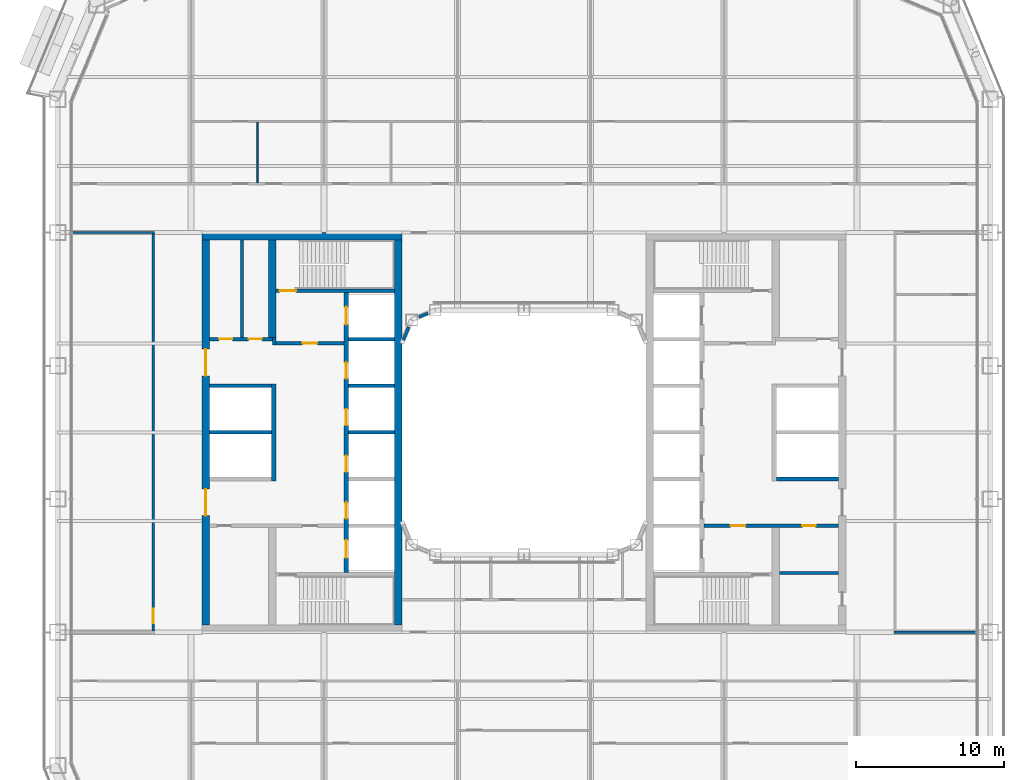
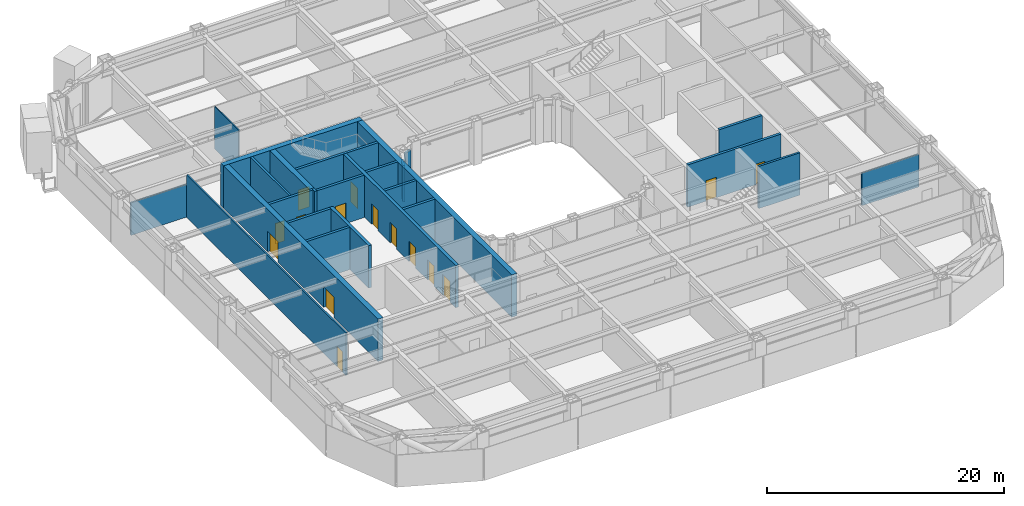
# One storey, part 14 of 29: 25 walls, 15 doors, 15 openings.
"""IFC4 building model written with IfcOpenShell, lengths in metres."""

import ifcopenshell
import ifcopenshell.guid

model = None  # the IFC model being written
_history = None  # IfcOwnerHistory: only IFC2X3 demands one
_inside = {}  # id of a spatial element -> (the spatial element, [elements in it])
_under = {}  # id of a project, library or spatial element -> (it, [spatial elements below it])
_declared = {}  # id of a project -> (the project, [libraries it declares])
_typed = {}  # id of a type object -> (the type object, [elements of that type])
_made_of = {}  # id of a material, layer set ... -> (it, [elements and type objects made of it])


def new_model(schema):
    """Start an empty IFC model of exactly this schema.

    Asked for "IFC4X3", IfcOpenShell would pick the latest addendum, in which some entities
    have other attributes; the version numbers below select the first issue.
    IFC2X3 requires an IfcOwnerHistory on every rooted entity: one is made here for all.
    """
    global model, _history
    if schema == "IFC4X3":
        model = ifcopenshell.file(schema_version=(4, 3, 0, 0))
    else:
        model = ifcopenshell.file(schema=schema)
    _inside.clear()
    _under.clear()
    _declared.clear()
    _typed.clear()
    _made_of.clear()
    _history = None
    if model.schema == "IFC2X3":
        org = make("IfcOrganization", Name="unknown")
        user = make(
            "IfcPersonAndOrganization",
            ThePerson=make("IfcPerson", FamilyName="unknown"),
            TheOrganization=org,
        )
        app = make(
            "IfcApplication",
            ApplicationDeveloper=org,
            Version="unknown",
            ApplicationFullName="unknown",
            ApplicationIdentifier="unknown",
        )
        _history = make(
            "IfcOwnerHistory",
            OwningUser=user,
            OwningApplication=app,
            ChangeAction="ADDED",
            CreationDate=0,
        )
    return model


def make(cls, **values):
    """One entity of the class cls with the attributes given. An attribute that is None is left unset."""
    return model.create_entity(
        cls, **{name: value for name, value in values.items() if value is not None}
    )


def rooted(cls, **values):
    """An entity with a GlobalId (a new one), such as an element, a storey or a relation."""
    return make(cls, GlobalId=ifcopenshell.guid.new(), OwnerHistory=_history, **values)


def si_unit(unit_type, name, prefix=None):
    """IfcSIUnit, for example si_unit("LENGTHUNIT", "METRE", prefix="MILLI")."""
    return make("IfcSIUnit", UnitType=unit_type, Prefix=prefix, Name=name)


def assignment(units):
    """IfcUnitAssignment: the units of a project."""
    return None if units is None else make("IfcUnitAssignment", Units=units)


def point(xyz):
    """IfcCartesianPoint."""
    return None if xyz is None else make("IfcCartesianPoint", Coordinates=xyz)


def direction(xyz):
    """IfcDirection."""
    return None if xyz is None else make("IfcDirection", DirectionRatios=xyz)


def frame(location, z_axis=None, x_axis=None):
    """IfcAxis2Placement3D, a coordinate frame: its origin and axes. An axis left out is left unset."""
    return make(
        "IfcAxis2Placement3D",
        Location=point(location),
        Axis=direction(z_axis),
        RefDirection=direction(x_axis),
    )


def frame_2d(location, x_axis=None):
    """IfcAxis2Placement2D, a coordinate frame in the plane: its origin and x axis."""
    return make(
        "IfcAxis2Placement2D", Location=point(location), RefDirection=direction(x_axis)
    )


def origin():
    """The frame at (0, 0, 0) with its axes left unset."""
    return frame((0.0, 0.0, 0.0))


def place(relative_to, where):
    """IfcLocalPlacement: puts the frame where relative to a parent placement (None: the world)."""
    return make(
        "IfcLocalPlacement", PlacementRelTo=relative_to, RelativePlacement=where
    )


def context(
    kind, dimensions, precision=None, world=None, true_north=None, identifier=None
):
    """IfcGeometricRepresentationContext, for example the 3D "Model" context."""
    return make(
        "IfcGeometricRepresentationContext",
        ContextIdentifier=identifier,
        ContextType=kind,
        CoordinateSpaceDimension=dimensions,
        Precision=precision,
        WorldCoordinateSystem=world,
        TrueNorth=true_north,
    )


def subcontext(parent, identifier, kind, view, scale=None):
    """IfcGeometricRepresentationSubContext, for example "Body" below "Model"."""
    return make(
        "IfcGeometricRepresentationSubContext",
        ContextIdentifier=identifier,
        ContextType=kind,
        ParentContext=parent,
        TargetScale=scale,
        TargetView=view,
    )


def project(units=None, contexts=None):
    """IfcProject with its units and contexts."""
    return rooted(
        "IfcProject",
        Name="project",
        RepresentationContexts=contexts,
        UnitsInContext=assignment(units),
    )


def spatial(cls, under=None, at=None, **own):
    """A site, building, storey or space (cls), placed at a placement, below another one or the project."""
    s = rooted(cls, ObjectPlacement=at, **own)
    if under is not None:
        _under.setdefault(under.id(), (under, []))[1].append(s)
    return s


def profile(cls, at=None, kind="AREA", **sizes):
    """A parametric profile (cls). Its sizes go by their IFC names, for example OverallWidth=200.0."""
    return make(cls, ProfileType=kind, Position=at, **sizes)


def rectangle(**sizes):
    """IfcRectangleProfileDef."""
    return profile("IfcRectangleProfileDef", **sizes)


def extrude(swept, where, along, depth):
    """IfcExtrudedAreaSolid: the profile swept, set in the frame where, extruded along a direction by depth."""
    return make(
        "IfcExtrudedAreaSolid",
        SweptArea=swept,
        Position=where,
        ExtrudedDirection=direction(along),
        Depth=depth,
    )


def shape(context_of_items, identifier, shape_type, items):
    """IfcShapeRepresentation: the items that make up one representation, for example the "Body"."""
    return make(
        "IfcShapeRepresentation",
        ContextOfItems=context_of_items,
        RepresentationIdentifier=identifier,
        RepresentationType=shape_type,
        Items=items,
    )


def material(Name=None, Category=None):
    """IfcMaterial."""
    return make("IfcMaterial", Name=Name, Category=Category)


def layer(
    of_material, thickness, ventilated=None, Name=None, Category=None, Priority=None
):
    """IfcMaterialLayer: one layer of a wall or slab, of a material (None: an air gap)."""
    return make(
        "IfcMaterialLayer",
        Material=of_material,
        LayerThickness=thickness,
        IsVentilated=ventilated,
        Name=Name,
        Category=Category,
        Priority=Priority,
    )


def layer_set(layers, Name=None):
    """IfcMaterialLayerSet."""
    return make("IfcMaterialLayerSet", MaterialLayers=layers, LayerSetName=Name)


def made_of(thing, what):
    """Note that an element or type object is made of a material, layer set ...; save() writes the relation."""
    if what is not None:
        _made_of.setdefault(what.id(), (what, []))[1].append(thing)
    return thing


def type_object(cls, material=None, **own):
    """A type object (cls), such as IfcWallType, which elements share."""
    return made_of(rooted(cls, **own), material)


def element(
    cls,
    number,
    at=None,
    inside=None,
    cuts=None,
    type_object=None,
    material=None,
    context=None,
    identifier="Body",
    shape_type=None,
    held_by="IfcProductDefinitionShape",
    body=None,
    shapes=None,
    **own,
):
    """One element of the class cls, such as IfcWall. Its Tag is "e" and its number.

    at: its placement. inside: the storey or other place that contains it. cuts: it is an
    opening in that element (IfcRelVoidsElement). A single representation is given by context,
    identifier, shape_type and body (its items); several are given by shapes. held_by: the class
    of the entity that holds the representations. save() writes the other relations.
    """
    e = rooted(cls, Tag="e%d" % number, ObjectPlacement=at, **own)
    if body is not None:
        shapes = [shape(context, identifier, shape_type, body)]
    if shapes is not None:
        e.Representation = make(held_by, Representations=shapes)
    if inside is not None:
        _inside.setdefault(inside.id(), (inside, []))[1].append(e)
    if cuts is not None:
        rooted(
            "IfcRelVoidsElement", RelatingBuildingElement=cuts, RelatedOpeningElement=e
        )
    if type_object is not None:
        _typed.setdefault(type_object.id(), (type_object, []))[1].append(e)
    return made_of(e, material)


def fill(opening, filler):
    """IfcRelFillsElement: the door or window that sits in an opening."""
    return rooted(
        "IfcRelFillsElement",
        RelatingOpeningElement=opening,
        RelatedBuildingElement=filler,
    )


def aggregate(whole, parts):
    """IfcRelAggregates: a whole, such as a stair, and the parts it consists of."""
    return rooted("IfcRelAggregates", RelatingObject=whole, RelatedObjects=parts)


def save(model, path):
    """Write the relations noted so far, then the file.

    IfcRelAggregates (storeys below a building ...), IfcRelContainedInSpatialStructure (elements
    in a storey), IfcRelDefinesByType, IfcRelAssociatesMaterial and IfcRelDeclares: one each for
    every whole, place, type object, material and project.
    """
    for whole, parts in _under.values():
        aggregate(whole, parts)
    for where, things in _inside.values():
        rooted(
            "IfcRelContainedInSpatialStructure",
            RelatedElements=things,
            RelatingStructure=where,
        )
    for kind, things in _typed.values():
        rooted("IfcRelDefinesByType", RelatedObjects=things, RelatingType=kind)
    for what, things in _made_of.values():
        rooted("IfcRelAssociatesMaterial", RelatedObjects=things, RelatingMaterial=what)
    for by, libraries in _declared.values():
        rooted("IfcRelDeclares", RelatingContext=by, RelatedDefinitions=libraries)
    model.write(path)


model = new_model("IFC4")

# Units and contexts
model_context = context("Model", 3, precision=1e-05, world=origin(), true_north=direction((0.0, 1.0)))
body_context = subcontext(model_context, "Body", "Model", "MODEL_VIEW")
ifc_project = project(units=[si_unit("LENGTHUNIT", "METRE"), si_unit("AREAUNIT", "SQUARE_METRE"), si_unit("VOLUMEUNIT", "CUBIC_METRE"), si_unit("PLANEANGLEUNIT", "RADIAN"), si_unit("MASSUNIT", "GRAM", prefix="KILO")], contexts=[model_context])

# Site, building, storey
site_placement = place(None, origin())
site = spatial("IfcSite", under=ifc_project, at=site_placement, CompositionType="ELEMENT")
building_placement = place(site_placement, origin())
building = spatial("IfcBuilding", under=site, at=building_placement, Name="Siwar Civic Tower", CompositionType="ELEMENT")
storey_placement = place(building_placement, frame((0.0, 0.0, 49.199951171875)))
storey = spatial("IfcBuildingStorey", under=building, at=storey_placement, Name="L10", CompositionType="ELEMENT", Elevation=49.199951171875)

# Walls
ifc_material_1 = material(Name="Gypsum board on steel studs", Category="steel")
ifc_layer_1 = layer(ifc_material_1, 0.199951171875)
ifc_layer_set_1 = layer_set([ifc_layer_1], Name="Gypsum board on steel studs")
wall_type_1 = type_object("IfcWallType", Name="CORE-PARTITION-200", PredefinedType="PARTITIONING", material=ifc_layer_set_1)
wall_1_placement = place(storey_placement, frame((-19.050048828125, 6.425048828125, 0.0), z_axis=(0.0, 0.0, 1.0), x_axis=(0.0, 1.0, 0.0)))
element("IfcWall", 1, at=wall_1_placement, inside=storey, type_object=wall_type_1, Name="Core partition W", PredefinedType="PARTITIONING", context=body_context, shape_type="SweptSolid", body=[
    extrude(rectangle(XDim=6.574951171875, YDim=0.199951171875, at=frame_2d((3.28759765625, 0.0))), origin(), (0.0, 0.0, 1.0), 4.35009765625),
])
wall_2_placement = place(storey_placement, frame((17.25, -9.5, 0.0), z_axis=(0.0, 0.0, 1.0), x_axis=(1.0, 0.0, 0.0)))
element("IfcWall", 2, at=wall_2_placement, inside=storey, type_object=wall_type_1, Name="Core partition E", PredefinedType="PARTITIONING", context=body_context, shape_type="SweptSolid", body=[
    extrude(rectangle(XDim=4.0, YDim=0.199951171875, at=frame_2d((2.0, 0.0))), origin(), (0.0, 0.0, 1.0), 4.35009765625),
])

# Wall, opening, door
ifc_material_2 = material(Name="Concrete C60/75", Category="concrete")
ifc_layer_2 = layer(ifc_material_2, 0.25)
ifc_layer_set_2 = layer_set([ifc_layer_2], Name="Concrete C60/75")
wall_type_2 = type_object("IfcWallType", Name="CORE-WALL-RC250", PredefinedType="SHEAR", material=ifc_layer_set_2)
wall_3_placement = place(storey_placement, frame((-12.14990234375, 6.02490234375, 0.0), z_axis=(0.0, 0.0, 1.0), x_axis=(-1.0, 0.0, 0.0)))
wall_3 = element("IfcWall", 3, at=wall_3_placement, inside=storey, type_object=wall_type_2, Name="Core wall W", PredefinedType="SHEAR", context=body_context, shape_type="SweptSolid", body=[
    extrude(rectangle(XDim=4.60009765625, YDim=0.25, at=frame_2d((2.300048828125, 0.0))), origin(), (0.0, 0.0, 1.0), 4.35009765625),
])
opening_1_placement = place(wall_3_placement, frame((1.800048828125, 0.0, 0.0)))
opening_1 = element("IfcOpeningElement", 4, at=opening_1_placement, cuts=wall_3, Name="Opening L10-CW01", PredefinedType="OPENING", context=body_context, shape_type="SweptSolid", body=[
    extrude(rectangle(XDim=1.0, YDim=2.10009765625, at=frame_2d((0.5, 1.050048828125))), frame((0.0, 0.135009765625, 0.0), z_axis=(0.0, -1.0, 0.0), x_axis=(1.0, 0.0, 0.0)), (0.0, 0.0, 1.0), 0.27001953125),
])
ifc_material_3 = material(Name="Steel door leaf", Category="steel")
door_type_1 = type_object("IfcDoorType", Name="CORE-DOOR-FD30S", OperationType="SINGLE_SWING_LEFT", PredefinedType="DOOR", material=ifc_material_3)
door_1_placement = place(opening_1_placement, origin())
door_1 = element("IfcDoor", 5, at=door_1_placement, inside=storey, type_object=door_type_1, Name="Firefighting lobby door L10-CW01", OperationType="SINGLE_SWING_LEFT", OverallHeight=2.10009765625, OverallWidth=1.0, PredefinedType="DOOR", context=body_context, shape_type="SweptSolid", body=[
    extrude(rectangle(XDim=1.0, YDim=2.10009765625, at=frame_2d((0.5, 1.050048828125))), frame((0.0, 0.02490234375, 0.0), z_axis=(0.0, -1.0, 0.0), x_axis=(1.0, 0.0, 0.0)), (0.0, 0.0, 1.0), 0.050048828125),
])
fill(opening_1, door_1)

# Wall
wall_4_placement = place(storey_placement, frame((-16.875, 5.89990234375, 0.0), z_axis=(0.0, 0.0, 1.0), x_axis=(0.0, 1.0, 0.0)))
element("IfcWall", 6, at=wall_4_placement, inside=storey, type_object=wall_type_2, Name="Core wall W", PredefinedType="SHEAR", context=body_context, shape_type="SweptSolid", body=[
    extrude(rectangle(XDim=0.525146484375, YDim=0.25, at=frame_2d((0.2626953125, 0.0))), origin(), (0.0, 0.0, 1.0), 4.35009765625),
])

# Wall, openings, doors
wall_5_placement = place(storey_placement, frame((-17.0, 6.300048828125, 0.0), z_axis=(0.0, 0.0, 1.0), x_axis=(-1.0, 0.0, 0.0)))
wall_5 = element("IfcWall", 7, at=wall_5_placement, inside=storey, type_object=wall_type_2, Name="Core wall W", PredefinedType="SHEAR", context=body_context, shape_type="SweptSolid", body=[
    extrude(rectangle(XDim=4.25, YDim=0.25, at=frame_2d((2.125, 0.0))), origin(), (0.0, 0.0, 1.0), 4.35009765625),
])
opening_2_placement = place(wall_5_placement, frame((0.699951171875, 0.0, 0.0)))
opening_2 = element("IfcOpeningElement", 8, at=opening_2_placement, cuts=wall_5, Name="Opening L10-CW13", PredefinedType="OPENING", context=body_context, shape_type="SweptSolid", body=[
    extrude(rectangle(XDim=0.89990234375, YDim=2.10009765625, at=frame_2d((0.449951171875, 1.050048828125))), frame((0.0, 0.135009765625, 0.0), z_axis=(0.0, -1.0, 0.0), x_axis=(1.0, 0.0, 0.0)), (0.0, 0.0, 1.0), 0.27001953125),
])
opening_3_placement = place(wall_5_placement, frame((2.699951171875, 0.0, 0.0)))
opening_3 = element("IfcOpeningElement", 9, at=opening_3_placement, cuts=wall_5, Name="Opening L10-CW14", PredefinedType="OPENING", context=body_context, shape_type="SweptSolid", body=[
    extrude(rectangle(XDim=0.89990234375, YDim=2.10009765625, at=frame_2d((0.449951171875, 1.050048828125))), frame((0.0, 0.135009765625, 0.0), z_axis=(0.0, -1.0, 0.0), x_axis=(1.0, 0.0, 0.0)), (0.0, 0.0, 1.0), 0.27001953125),
])
ifc_material_4 = material(Name="Steel door leaf", Category="steel")
door_type_2 = type_object("IfcDoorType", Name="CORE-DOOR-ROOM", OperationType="SINGLE_SWING_LEFT", PredefinedType="DOOR", material=ifc_material_4)
door_2_placement = place(opening_2_placement, origin())
door_2 = element("IfcDoor", 10, at=door_2_placement, inside=storey, type_object=door_type_2, Name="Core room door L10-CW13", OperationType="SINGLE_SWING_RIGHT", OverallHeight=2.10009765625, OverallWidth=0.89990234375, PredefinedType="DOOR", context=body_context, shape_type="SweptSolid", body=[
    extrude(rectangle(XDim=0.89990234375, YDim=2.10009765625, at=frame_2d((0.449951171875, 1.050048828125))), frame((0.0, 0.02490234375, 0.0), z_axis=(0.0, -1.0, 0.0), x_axis=(1.0, 0.0, 0.0)), (0.0, 0.0, 1.0), 0.050048828125),
])
fill(opening_2, door_2)
door_3_placement = place(opening_3_placement, origin())
door_3 = element("IfcDoor", 11, at=door_3_placement, inside=storey, type_object=door_type_2, Name="Core room door L10-CW14", OperationType="SINGLE_SWING_LEFT", OverallHeight=2.10009765625, OverallWidth=0.89990234375, PredefinedType="DOOR", context=body_context, shape_type="SweptSolid", body=[
    extrude(rectangle(XDim=0.89990234375, YDim=2.10009765625, at=frame_2d((0.449951171875, 1.050048828125))), frame((0.0, 0.02490234375, 0.0), z_axis=(0.0, -1.0, 0.0), x_axis=(1.0, 0.0, 0.0)), (0.0, 0.0, 1.0), 0.050048828125),
])
fill(opening_3, door_3)

# Walls
for number, where, z_axis, x_axis, name in (
    (12, (-17.050048828125, 0.0, 0.0), (0.0, 0.0, 1.0), (-1.0, 0.0, 0.0), "Core wall W"),
    (13, (-17.050048828125, 3.14990234375, 0.0), (0.0, 0.0, 1.0), (-1.0, 0.0, 0.0), "Core wall W"),
):
    element("IfcWall", number, at=place(storey_placement, frame(where, z_axis=z_axis, x_axis=x_axis)), inside=storey, type_object=wall_type_2, Name=name, PredefinedType="SHEAR", context=body_context, shape_type="SweptSolid", body=[
        extrude(rectangle(XDim=4.199951171875, YDim=0.25, at=frame_2d((2.10009765625, 0.0))), origin(), (0.0, 0.0, 1.0), 4.35009765625),
    ])
for number, where, z_axis, x_axis, name in (
    (14, (-8.75, 0.0, 0.0), (0.0, 0.0, 1.0), (-1.0, 0.0, 0.0), "Core wall W"),
    (15, (-8.75, 3.14990234375, 0.0), (0.0, 0.0, 1.0), (-1.0, 0.0, 0.0), "Core wall W"),
    (16, (-8.75, 6.300048828125, 0.0), (0.0, 0.0, 1.0), (-1.0, 0.0, 0.0), "Core wall W"),
):
    element("IfcWall", number, at=place(storey_placement, frame(where, z_axis=z_axis, x_axis=x_axis)), inside=storey, type_object=wall_type_2, Name=name, PredefinedType="SHEAR", context=body_context, shape_type="SweptSolid", body=[
        extrude(rectangle(XDim=3.10009765625, YDim=0.25, at=frame_2d((1.550048828125, 0.0))), origin(), (0.0, 0.0, 1.0), 4.35009765625),
    ])

# Wall, opening, door
wall_6_placement = place(storey_placement, frame((-8.75, 9.574951171875, 0.0), z_axis=(0.0, 0.0, 1.0), x_axis=(-1.0, 0.0, 0.0)))
wall_6 = element("IfcWall", 17, at=wall_6_placement, inside=storey, type_object=wall_type_2, Name="Core wall W", PredefinedType="SHEAR", context=body_context, shape_type="SweptSolid", body=[
    extrude(rectangle(XDim=8.0, YDim=0.25, at=frame_2d((4.0, 0.0))), origin(), (0.0, 0.0, 1.0), 4.35009765625),
])
opening_4_placement = place(wall_6_placement, frame((6.64990234375, 0.0, 0.0)))
opening_4 = element("IfcOpeningElement", 18, at=opening_4_placement, cuts=wall_6, Name="Opening L10-CW03", PredefinedType="OPENING", context=body_context, shape_type="SweptSolid", body=[
    extrude(rectangle(XDim=1.10009765625, YDim=2.10009765625, at=frame_2d((0.550048828125, 1.050048828125))), frame((0.0, 0.135009765625, 0.0), z_axis=(0.0, -1.0, 0.0), x_axis=(1.0, 0.0, 0.0)), (0.0, 0.0, 1.0), 0.27001953125),
])
ifc_material_5 = material(Name="Steel door leaf", Category="steel")
door_type_3 = type_object("IfcDoorType", Name="CORE-DOOR-FD60S", OperationType="SINGLE_SWING_LEFT", PredefinedType="DOOR", material=ifc_material_5)
door_4_placement = place(opening_4_placement, origin())
door_4 = element("IfcDoor", 19, at=door_4_placement, inside=storey, type_object=door_type_3, Name="Stair door L10-CW03", OperationType="SINGLE_SWING_RIGHT", OverallHeight=2.10009765625, OverallWidth=1.10009765625, PredefinedType="DOOR", context=body_context, shape_type="SweptSolid", body=[
    extrude(rectangle(XDim=1.10009765625, YDim=2.10009765625, at=frame_2d((0.550048828125, 1.050048828125))), frame((0.0, 0.02490234375, 0.0), z_axis=(0.0, -1.0, 0.0), x_axis=(1.0, 0.0, 0.0)), (0.0, 0.0, 1.0), 0.050048828125),
])
fill(opening_4, door_4)

# Wall, openings, doors
wall_7_placement = place(storey_placement, frame((12.14990234375, -6.300048828125, 0.0), z_axis=(0.0, 0.0, 1.0), x_axis=(1.0, 0.0, 0.0)))
wall_7 = element("IfcWall", 20, at=wall_7_placement, inside=storey, type_object=wall_type_2, Name="Core wall E", PredefinedType="SHEAR", context=body_context, shape_type="SweptSolid", body=[
    extrude(rectangle(XDim=9.10009765625, YDim=0.25, at=frame_2d((4.550048828125, 0.0))), origin(), (0.0, 0.0, 1.0), 4.35009765625),
])
opening_5_placement = place(wall_7_placement, frame((1.800048828125, 0.0, 0.0)))
opening_5 = element("IfcOpeningElement", 21, at=opening_5_placement, cuts=wall_7, Name="Opening L10-CE02", PredefinedType="OPENING", context=body_context, shape_type="SweptSolid", body=[
    extrude(rectangle(XDim=1.0, YDim=2.10009765625, at=frame_2d((0.5, 1.050048828125))), frame((0.0, 0.135009765625, 0.0), z_axis=(0.0, -1.0, 0.0), x_axis=(1.0, 0.0, 0.0)), (0.0, 0.0, 1.0), 0.27001953125),
])
opening_6_placement = place(wall_7_placement, frame((6.64990234375, 0.0, 0.0)))
opening_6 = element("IfcOpeningElement", 22, at=opening_6_placement, cuts=wall_7, Name="Opening L10-CE14", PredefinedType="OPENING", context=body_context, shape_type="SweptSolid", body=[
    extrude(rectangle(XDim=0.89990234375, YDim=2.10009765625, at=frame_2d((0.449951171875, 1.050048828125))), frame((0.0, 0.135009765625, 0.0), z_axis=(0.0, -1.0, 0.0), x_axis=(1.0, 0.0, 0.0)), (0.0, 0.0, 1.0), 0.27001953125),
])
door_5_placement = place(opening_5_placement, origin())
door_5 = element("IfcDoor", 23, at=door_5_placement, inside=storey, type_object=door_type_1, Name="Service lobby door L10-CE02", OperationType="SINGLE_SWING_LEFT", OverallHeight=2.10009765625, OverallWidth=1.0, PredefinedType="DOOR", context=body_context, shape_type="SweptSolid", body=[
    extrude(rectangle(XDim=1.0, YDim=2.10009765625, at=frame_2d((0.5, 1.050048828125))), frame((0.0, 0.02490234375, 0.0), z_axis=(0.0, -1.0, 0.0), x_axis=(1.0, 0.0, 0.0)), (0.0, 0.0, 1.0), 0.050048828125),
])
fill(opening_5, door_5)
door_6_placement = place(opening_6_placement, origin())
door_6 = element("IfcDoor", 24, at=door_6_placement, inside=storey, type_object=door_type_2, Name="Core room door L10-CE14", OperationType="SINGLE_SWING_LEFT", OverallHeight=2.10009765625, OverallWidth=0.89990234375, PredefinedType="DOOR", context=body_context, shape_type="SweptSolid", body=[
    extrude(rectangle(XDim=0.89990234375, YDim=2.10009765625, at=frame_2d((0.449951171875, 1.050048828125))), frame((0.0, 0.02490234375, 0.0), z_axis=(0.0, -1.0, 0.0), x_axis=(1.0, 0.0, 0.0)), (0.0, 0.0, 1.0), 0.050048828125),
])
fill(opening_6, door_6)

# Wall
wall_8_placement = place(storey_placement, frame((17.050048828125, -3.14990234375, 0.0), z_axis=(0.0, 0.0, 1.0), x_axis=(1.0, 0.0, 0.0)))
element("IfcWall", 25, at=wall_8_placement, inside=storey, type_object=wall_type_2, Name="Core wall E", PredefinedType="SHEAR", context=body_context, shape_type="SweptSolid", body=[
    extrude(rectangle(XDim=4.199951171875, YDim=0.25, at=frame_2d((2.10009765625, 0.0))), origin(), (0.0, 0.0, 1.0), 4.35009765625),
])

# Wall, openings, doors
ifc_material_6 = material(Name="Concrete C60/75", Category="concrete")
ifc_layer_3 = layer(ifc_material_6, 0.300048828125)
ifc_layer_set_3 = layer_set([ifc_layer_3], Name="Concrete C60/75")
wall_type_3 = type_object("IfcWallType", Name="CORE-WALL-RC300", PredefinedType="SHEAR", material=ifc_layer_set_3)
wall_9_placement = place(storey_placement, frame((-12.0, -9.449951171875, 0.0), z_axis=(0.0, 0.0, 1.0), x_axis=(0.0, 1.0, 0.0)))
wall_9 = element("IfcWall", 26, at=wall_9_placement, inside=storey, type_object=wall_type_3, Name="Core wall W", PredefinedType="SHEAR", context=body_context, shape_type="SweptSolid", body=[
    extrude(rectangle(XDim=18.89990234375, YDim=0.300048828125, at=frame_2d((9.449951171875, 0.0))), origin(), (0.0, 0.0, 1.0), 4.35009765625),
])
opening_7_placement = place(wall_9_placement, frame((3.625, 0.0, 0.0)))
opening_7 = element("IfcOpeningElement", 27, at=opening_7_placement, cuts=wall_9, Name="Opening L10-CW07", PredefinedType="OPENING", context=body_context, shape_type="SweptSolid", body=[
    extrude(rectangle(XDim=1.10009765625, YDim=2.10009765625, at=frame_2d((0.550048828125, 1.050048828125))), frame((0.0, 0.16015625, 0.0), z_axis=(0.0, -1.0, 0.0), x_axis=(1.0, 0.0, 0.0)), (0.0, 0.0, 1.0), 0.320068359375),
])
opening_8_placement = place(wall_9_placement, frame((6.77490234375, 0.0, 0.0)))
opening_8 = element("IfcOpeningElement", 28, at=opening_8_placement, cuts=wall_9, Name="Opening L10-CW08", PredefinedType="OPENING", context=body_context, shape_type="SweptSolid", body=[
    extrude(rectangle(XDim=1.10009765625, YDim=2.10009765625, at=frame_2d((0.550048828125, 1.050048828125))), frame((0.0, 0.16015625, 0.0), z_axis=(0.0, -1.0, 0.0), x_axis=(1.0, 0.0, 0.0)), (0.0, 0.0, 1.0), 0.320068359375),
])
opening_9_placement = place(wall_9_placement, frame((9.925048828125, 0.0, 0.0)))
opening_9 = element("IfcOpeningElement", 29, at=opening_9_placement, cuts=wall_9, Name="Opening L10-CW09", PredefinedType="OPENING", context=body_context, shape_type="SweptSolid", body=[
    extrude(rectangle(XDim=1.10009765625, YDim=2.10009765625, at=frame_2d((0.550048828125, 1.050048828125))), frame((0.0, 0.16015625, 0.0), z_axis=(0.0, -1.0, 0.0), x_axis=(1.0, 0.0, 0.0)), (0.0, 0.0, 1.0), 0.320068359375),
])
opening_10_placement = place(wall_9_placement, frame((13.074951171875, 0.0, 0.0)))
opening_10 = element("IfcOpeningElement", 30, at=opening_10_placement, cuts=wall_9, Name="Opening L10-CW10", PredefinedType="OPENING", context=body_context, shape_type="SweptSolid", body=[
    extrude(rectangle(XDim=1.10009765625, YDim=2.10009765625, at=frame_2d((0.550048828125, 1.050048828125))), frame((0.0, 0.16015625, 0.0), z_axis=(0.0, -1.0, 0.0), x_axis=(1.0, 0.0, 0.0)), (0.0, 0.0, 1.0), 0.320068359375),
])
opening_11_placement = place(wall_9_placement, frame((16.72509765625, 0.0, 0.0)))
opening_11 = element("IfcOpeningElement", 31, at=opening_11_placement, cuts=wall_9, Name="Opening L10-CW11", PredefinedType="OPENING", context=body_context, shape_type="SweptSolid", body=[
    extrude(rectangle(XDim=1.199951171875, YDim=2.10009765625, at=frame_2d((0.60009765625, 1.050048828125))), frame((0.0, 0.16015625, 0.0), z_axis=(0.0, -1.0, 0.0), x_axis=(1.0, 0.0, 0.0)), (0.0, 0.0, 1.0), 0.320068359375),
])
opening_12_placement = place(wall_9_placement, frame((0.97509765625, 0.0, 0.0)))
opening_12 = element("IfcOpeningElement", 32, at=opening_12_placement, cuts=wall_9, Name="Opening L10-CW12", PredefinedType="OPENING", context=body_context, shape_type="SweptSolid", body=[
    extrude(rectangle(XDim=1.199951171875, YDim=2.10009765625, at=frame_2d((0.60009765625, 1.050048828125))), frame((0.0, 0.16015625, 0.0), z_axis=(0.0, -1.0, 0.0), x_axis=(1.0, 0.0, 0.0)), (0.0, 0.0, 1.0), 0.320068359375),
])
ifc_material_7 = material(Name="Steel door leaf", Category="steel")
door_type_4 = type_object("IfcDoorType", Name="CORE-DOOR-LD", OperationType="DOUBLE_DOOR_SLIDING", PredefinedType="DOOR", material=ifc_material_7)
door_7_placement = place(opening_7_placement, origin())
door_7 = element("IfcDoor", 33, at=door_7_placement, inside=storey, type_object=door_type_4, Name="Landing door LR1 L10-CW07", OperationType="DOUBLE_DOOR_SLIDING", OverallHeight=2.10009765625, OverallWidth=1.10009765625, PredefinedType="DOOR", context=body_context, shape_type="SweptSolid", body=[
    extrude(rectangle(XDim=1.10009765625, YDim=2.10009765625, at=frame_2d((0.550048828125, 1.050048828125))), frame((0.0, 0.02490234375, 0.0), z_axis=(0.0, -1.0, 0.0), x_axis=(1.0, 0.0, 0.0)), (0.0, 0.0, 1.0), 0.050048828125),
])
fill(opening_7, door_7)
door_8_placement = place(opening_8_placement, origin())
door_8 = element("IfcDoor", 34, at=door_8_placement, inside=storey, type_object=door_type_4, Name="Landing door LR2 L10-CW08", OperationType="DOUBLE_DOOR_SLIDING", OverallHeight=2.10009765625, OverallWidth=1.10009765625, PredefinedType="DOOR", context=body_context, shape_type="SweptSolid", body=[
    extrude(rectangle(XDim=1.10009765625, YDim=2.10009765625, at=frame_2d((0.550048828125, 1.050048828125))), frame((0.0, 0.02490234375, 0.0), z_axis=(0.0, -1.0, 0.0), x_axis=(1.0, 0.0, 0.0)), (0.0, 0.0, 1.0), 0.050048828125),
])
fill(opening_8, door_8)
door_9_placement = place(opening_9_placement, origin())
door_9 = element("IfcDoor", 35, at=door_9_placement, inside=storey, type_object=door_type_4, Name="Landing door LR3 L10-CW09", OperationType="DOUBLE_DOOR_SLIDING", OverallHeight=2.10009765625, OverallWidth=1.10009765625, PredefinedType="DOOR", context=body_context, shape_type="SweptSolid", body=[
    extrude(rectangle(XDim=1.10009765625, YDim=2.10009765625, at=frame_2d((0.550048828125, 1.050048828125))), frame((0.0, 0.02490234375, 0.0), z_axis=(0.0, -1.0, 0.0), x_axis=(1.0, 0.0, 0.0)), (0.0, 0.0, 1.0), 0.050048828125),
])
fill(opening_9, door_9)
door_10_placement = place(opening_10_placement, origin())
door_10 = element("IfcDoor", 36, at=door_10_placement, inside=storey, type_object=door_type_4, Name="Landing door LR4 L10-CW10", OperationType="DOUBLE_DOOR_SLIDING", OverallHeight=2.10009765625, OverallWidth=1.10009765625, PredefinedType="DOOR", context=body_context, shape_type="SweptSolid", body=[
    extrude(rectangle(XDim=1.10009765625, YDim=2.10009765625, at=frame_2d((0.550048828125, 1.050048828125))), frame((0.0, 0.02490234375, 0.0), z_axis=(0.0, -1.0, 0.0), x_axis=(1.0, 0.0, 0.0)), (0.0, 0.0, 1.0), 0.050048828125),
])
fill(opening_10, door_10)
ifc_material_8 = material(Name="Steel door leaf", Category="steel")
door_type_5 = type_object("IfcDoorType", Name="CORE-DOOR-LDW", OperationType="DOUBLE_DOOR_SLIDING", PredefinedType="DOOR", material=ifc_material_8)
door_11_placement = place(opening_11_placement, origin())
door_11 = element("IfcDoor", 37, at=door_11_placement, inside=storey, type_object=door_type_5, Name="Landing door FF1 L10-CW11", OperationType="DOUBLE_DOOR_SLIDING", OverallHeight=2.10009765625, OverallWidth=1.199951171875, PredefinedType="DOOR", context=body_context, shape_type="SweptSolid", body=[
    extrude(rectangle(XDim=1.199951171875, YDim=2.10009765625, at=frame_2d((0.60009765625, 1.050048828125))), frame((0.0, 0.02490234375, 0.0), z_axis=(0.0, -1.0, 0.0), x_axis=(1.0, 0.0, 0.0)), (0.0, 0.0, 1.0), 0.050048828125),
])
fill(opening_11, door_11)
door_12_placement = place(opening_12_placement, origin())
door_12 = element("IfcDoor", 38, at=door_12_placement, inside=storey, type_object=door_type_5, Name="Landing door SV1 L10-CW12", OperationType="DOUBLE_DOOR_SLIDING", OverallHeight=2.10009765625, OverallWidth=1.199951171875, PredefinedType="DOOR", context=body_context, shape_type="SweptSolid", body=[
    extrude(rectangle(XDim=1.199951171875, YDim=2.10009765625, at=frame_2d((0.60009765625, 1.050048828125))), frame((0.0, 0.02490234375, 0.0), z_axis=(0.0, -1.0, 0.0), x_axis=(1.0, 0.0, 0.0)), (0.0, 0.0, 1.0), 0.050048828125),
])
fill(opening_12, door_12)

# Wall
wall_10_placement = place(storey_placement, frame((-16.89990234375, -3.27490234375, 0.0), z_axis=(0.0, 0.0, 1.0), x_axis=(0.0, 1.0, 0.0)))
element("IfcWall", 39, at=wall_10_placement, inside=storey, type_object=wall_type_3, Name="Core wall W", PredefinedType="SHEAR", context=body_context, shape_type="SweptSolid", body=[
    extrude(rectangle(XDim=6.5498046875, YDim=0.300048828125, at=frame_2d((3.27490234375, 0.0))), origin(), (0.0, 0.0, 1.0), 4.35009765625),
])

# Wall, openings, doors
ifc_material_9 = material(Name="Concrete C60/75", Category="concrete")
ifc_layer_4 = layer(ifc_material_9, 0.5)
ifc_layer_set_4 = layer_set([ifc_layer_4], Name="Concrete C60/75")
wall_type_4 = type_object("IfcWallType", Name="CORE-WALL-RC500", PredefinedType="SHEAR", material=ifc_layer_set_4)
wall_11_placement = place(storey_placement, frame((-21.5, -13.0, 0.0), z_axis=(0.0, 0.0, 1.0), x_axis=(0.0, 1.0, 0.0)))
wall_11 = element("IfcWall", 40, at=wall_11_placement, inside=storey, type_object=wall_type_4, Name="Core wall W", PredefinedType="SHEAR", context=body_context, shape_type="SweptSolid", body=[
    extrude(rectangle(XDim=26.0, YDim=0.5, at=frame_2d((13.0, 0.0))), origin(), (0.0, 0.0, 1.0), 4.35009765625),
])
opening_13_placement = place(wall_11_placement, frame((16.824951171875, 0.0, 0.0)))
opening_13 = element("IfcOpeningElement", 41, at=opening_13_placement, cuts=wall_11, Name="Opening L10-CW05", PredefinedType="OPENING", context=body_context, shape_type="SweptSolid", body=[
    extrude(rectangle(XDim=1.800048828125, YDim=2.10009765625, at=frame_2d((0.89990234375, 1.050048828125))), frame((0.0, 0.260009765625, 0.0), z_axis=(0.0, -1.0, 0.0), x_axis=(1.0, 0.0, 0.0)), (0.0, 0.0, 1.0), 0.52001953125),
])
opening_14_placement = place(wall_11_placement, frame((7.375, 0.0, 0.0)))
opening_14 = element("IfcOpeningElement", 42, at=opening_14_placement, cuts=wall_11, Name="Opening L10-CW06", PredefinedType="OPENING", context=body_context, shape_type="SweptSolid", body=[
    extrude(rectangle(XDim=1.800048828125, YDim=2.10009765625, at=frame_2d((0.89990234375, 1.050048828125))), frame((0.0, 0.260009765625, 0.0), z_axis=(0.0, -1.0, 0.0), x_axis=(1.0, 0.0, 0.0)), (0.0, 0.0, 1.0), 0.52001953125),
])
ifc_material_10 = material(Name="Steel door leaf", Category="steel")
door_type_6 = type_object("IfcDoorType", Name="CORE-DOOR-PORT", OperationType="DOUBLE_DOOR_DOUBLE_SWING", PredefinedType="DOOR", material=ifc_material_10)
door_13_placement = place(opening_13_placement, origin())
door_13 = element("IfcDoor", 43, at=door_13_placement, inside=storey, type_object=door_type_6, Name="Core entrance door L10-CW05", OperationType="DOUBLE_DOOR_DOUBLE_SWING", OverallHeight=2.10009765625, OverallWidth=1.800048828125, PredefinedType="DOOR", context=body_context, shape_type="SweptSolid", body=[
    extrude(rectangle(XDim=1.800048828125, YDim=2.10009765625, at=frame_2d((0.89990234375, 1.050048828125))), frame((0.0, 0.02490234375, 0.0), z_axis=(0.0, -1.0, 0.0), x_axis=(1.0, 0.0, 0.0)), (0.0, 0.0, 1.0), 0.050048828125),
])
fill(opening_13, door_13)
door_14_placement = place(opening_14_placement, origin())
door_14 = element("IfcDoor", 44, at=door_14_placement, inside=storey, type_object=door_type_6, Name="Core entrance door L10-CW06", OperationType="DOUBLE_DOOR_DOUBLE_SWING", OverallHeight=2.10009765625, OverallWidth=1.800048828125, PredefinedType="DOOR", context=body_context, shape_type="SweptSolid", body=[
    extrude(rectangle(XDim=1.800048828125, YDim=2.10009765625, at=frame_2d((0.89990234375, 1.050048828125))), frame((0.0, 0.02490234375, 0.0), z_axis=(0.0, -1.0, 0.0), x_axis=(1.0, 0.0, 0.0)), (0.0, 0.0, 1.0), 0.050048828125),
])
fill(opening_14, door_14)

# Walls
wall_12_placement = place(storey_placement, frame((-17.0, 6.425048828125, 0.0), z_axis=(0.0, 0.0, 1.0), x_axis=(0.0, 1.0, 0.0)))
element("IfcWall", 45, at=wall_12_placement, inside=storey, type_object=wall_type_4, Name="Core wall W", PredefinedType="SHEAR", context=body_context, shape_type="SweptSolid", body=[
    extrude(rectangle(XDim=6.574951171875, YDim=0.5, at=frame_2d((3.28759765625, 0.0))), origin(), (0.0, 0.0, 1.0), 4.35009765625),
])
wall_13_placement = place(storey_placement, frame((-8.25, 13.25, 0.0), z_axis=(0.0, 0.0, 1.0), x_axis=(-1.0, 0.0, 0.0)))
element("IfcWall", 46, at=wall_13_placement, inside=storey, type_object=wall_type_4, Name="Core wall W", PredefinedType="SHEAR", context=body_context, shape_type="SweptSolid", body=[
    extrude(rectangle(XDim=13.5, YDim=0.5, at=frame_2d((6.75, 0.0))), origin(), (0.0, 0.0, 1.0), 4.35009765625),
])
ifc_material_11 = material(Name="Concrete C60/75", Category="concrete")
ifc_layer_5 = layer(ifc_material_11, 0.5)
ifc_layer_set_5 = layer_set([ifc_layer_5], Name="Concrete C60/75")
wall_type_5 = type_object("IfcWallType", Name="CORE-WALL-RC500-EXT", PredefinedType="SHEAR", material=ifc_layer_set_5)
wall_14_placement = place(storey_placement, frame((-8.5, -13.0, 0.0), z_axis=(0.0, 0.0, 1.0), x_axis=(0.0, 1.0, 0.0)))
element("IfcWall", 47, at=wall_14_placement, inside=storey, type_object=wall_type_5, Name="Core wall W", PredefinedType="SHEAR", context=body_context, shape_type="SweptSolid", body=[
    extrude(rectangle(XDim=26.0, YDim=0.5, at=frame_2d((13.0, 0.0))), origin(), (0.0, 0.0, 1.0), 4.35009765625),
])
ifc_material_12 = material(Name="Gypsum board on steel studs", Category="steel")
ifc_layer_6 = layer(ifc_material_12, 0.14990234375)
ifc_layer_set_6 = layer_set([ifc_layer_6], Name="Gypsum board on steel studs")
wall_type_6 = type_object("IfcWallType", Name="CORRIDOR PARTITION 150 EI 30", PredefinedType="PARTITIONING", material=ifc_layer_set_6)
for number, where, z_axis, x_axis, name in (
    (48, (24.97509765625, -13.5, 0.0), (0.0, 0.0, 1.0), (1.0, 0.0, 0.0), "L10/wall/P07"),
    (49, (-30.510009765625, 13.5, 0.0), (0.0, 0.0, 1.0), (1.0, 0.0, 0.0), "L10/wall/P11"),
):
    element("IfcWall", number, at=place(storey_placement, frame(where, z_axis=z_axis, x_axis=x_axis)), inside=storey, type_object=wall_type_6, Name=name, PredefinedType="PARTITIONING", context=body_context, shape_type="SweptSolid", body=[
        extrude(rectangle(XDim=5.534912109375, YDim=0.14990234375, at=frame_2d((2.767578125, 0.0))), origin(), (0.0, 0.0, 1.0), 3.35009765625),
    ])

# Wall, opening, door
wall_15_placement = place(storey_placement, frame((-25.050048828125, -13.425048828125, 0.0), z_axis=(0.0, 0.0, 1.0), x_axis=(0.0, 1.0, 0.0)))
wall_15 = element("IfcWall", 50, at=wall_15_placement, inside=storey, type_object=wall_type_6, Name="L10/wall/P16", PredefinedType="PARTITIONING", context=body_context, shape_type="SweptSolid", body=[
    extrude(rectangle(XDim=26.85009765625, YDim=0.14990234375, at=frame_2d((13.425048828125, 0.0))), origin(), (0.0, 0.0, 1.0), 4.35009765625),
])
opening_15_placement = place(wall_15_placement, frame((0.52490234375, 0.0, 0.0)))
opening_15 = element("IfcOpeningElement", 51, at=opening_15_placement, cuts=wall_15, Name="Opening D1", PredefinedType="OPENING", context=body_context, shape_type="SweptSolid", body=[
    extrude(rectangle(XDim=1.0, YDim=2.10009765625, at=frame_2d((0.5, 1.050048828125))), frame((0.0, 0.0849609375, 0.0), z_axis=(0.0, -1.0, 0.0), x_axis=(1.0, 0.0, 0.0)), (0.0, 0.0, 1.0), 0.169921875),
])
ifc_material_13 = material(Name="Timber, painted", Category="wood")
door_type_7 = type_object("IfcDoorType", Name="DOOR 1000 X 2100 FD30", OperationType="SINGLE_SWING_LEFT", PredefinedType="DOOR", material=ifc_material_13)
door_15_placement = place(opening_15_placement, origin())
door_15 = element("IfcDoor", 52, at=door_15_placement, inside=storey, type_object=door_type_7, Name="L10-D30", OperationType="SINGLE_SWING_RIGHT", OverallHeight=2.10009765625, OverallWidth=1.0, PredefinedType="DOOR", context=body_context, shape_type="SweptSolid", body=[
    extrude(rectangle(XDim=1.0, YDim=2.10009765625, at=frame_2d((0.5, 1.050048828125))), frame((0.0, 0.02490234375, 0.0), z_axis=(0.0, -1.0, 0.0), x_axis=(1.0, 0.0, 0.0)), (0.0, 0.0, 1.0), 0.050048828125),
])
fill(opening_15, door_15)

# Walls
ifc_material_14 = material(Name="Aluminium clad insulated panel", Category="aluminium")
ifc_layer_7 = layer(ifc_material_14, 0.199951171875)
ifc_layer_set_7 = layer_set([ifc_layer_7], Name="Aluminium clad insulated panel")
wall_type_7 = type_object("IfcWallType", Name="ENV-WALL-WELL", PredefinedType="STANDARD", material=ifc_layer_set_7)
wall_16_placement = place(storey_placement, frame((-6.48291015625, 8.050048828125, 0.0), z_axis=(0.0, 0.0, 1.0), x_axis=(-0.923854141361, -0.382744726273, 0.0)))
element("IfcWall", 53, at=wall_16_placement, inside=storey, type_object=wall_type_7, Name="Light well corner wall NW1", PredefinedType="STANDARD", context=body_context, shape_type="SweptSolid", body=[
    extrude(rectangle(XDim=0.6767578125, YDim=0.199951171875, at=frame_2d((0.33837890625, 0.0))), origin(), (0.0, 0.0, 1.0), 3.72998046875),
])
wall_17_placement = place(storey_placement, frame((-7.791015625, 7.108154296875, 0.0), z_axis=(0.0, 0.0, 1.0), x_axis=(-0.382624318388, -0.923904016107, 0.0)))
element("IfcWall", 54, at=wall_17_placement, inside=storey, type_object=wall_type_7, Name="Light well corner wall NW2", PredefinedType="STANDARD", context=body_context, shape_type="SweptSolid", body=[
    extrude(rectangle(XDim=0.949462890625, YDim=0.199951171875, at=frame_2d((0.474609375, 0.0))), origin(), (0.0, 0.0, 1.0), 3.72998046875),
])
ifc_material_15 = material(Name="Gypsum board on steel studs", Category="steel")
ifc_layer_8 = layer(ifc_material_15, 0.10009765625)
ifc_layer_set_8 = layer_set([ifc_layer_8], Name="Gypsum board on steel studs")
wall_type_8 = type_object("IfcWallType", Name="PARTITION 100 GYPSUM", PredefinedType="PARTITIONING", material=ifc_layer_set_8)
wall_18_placement = place(storey_placement, frame((-18.0, 16.875, 0.0), z_axis=(0.0, 0.0, 1.0), x_axis=(0.0, 1.0, 0.0)))
element("IfcWall", 55, at=wall_18_placement, inside=storey, type_object=wall_type_8, Name="L10/wall/P20", PredefinedType="PARTITIONING", context=body_context, shape_type="SweptSolid", body=[
    extrude(rectangle(XDim=4.074951171875, YDim=0.10009765625, at=frame_2d((2.03759765625, 0.0))), origin(), (0.0, 0.0, 1.0), 4.35009765625),
])

save(model, "model.ifc")
